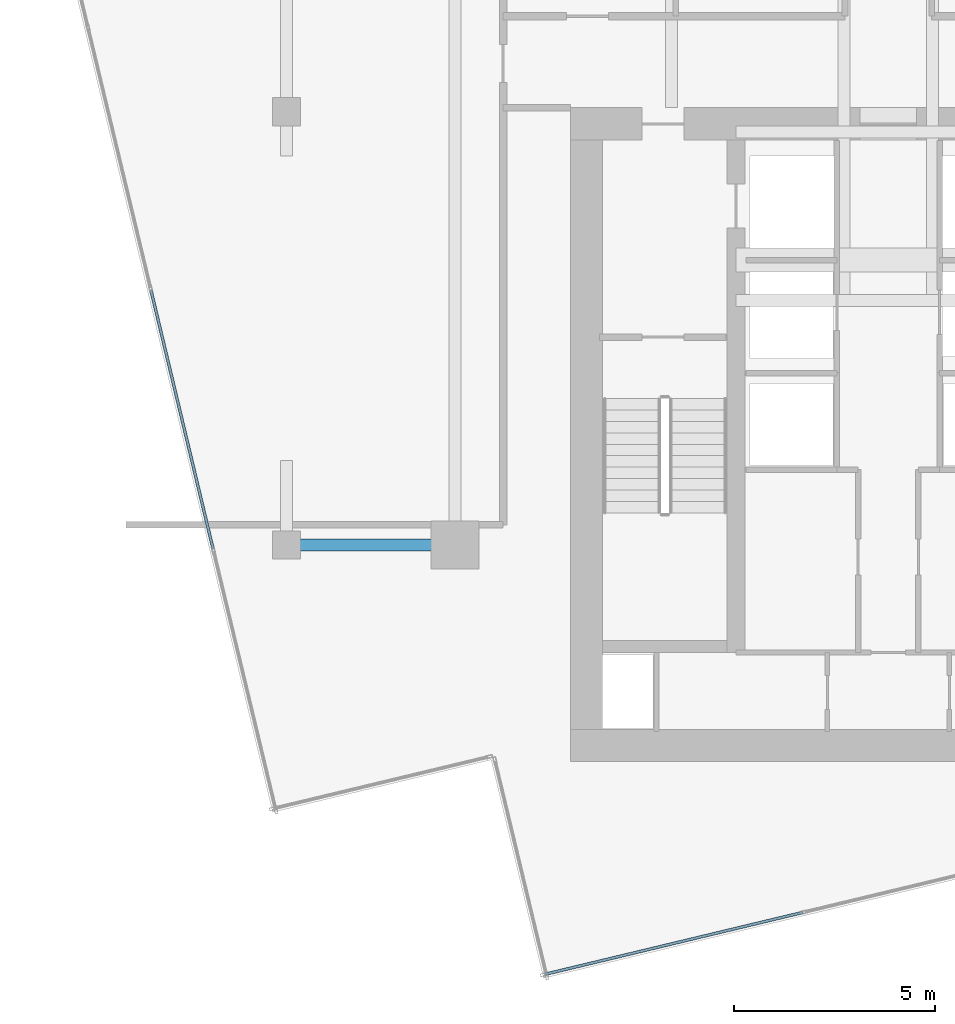
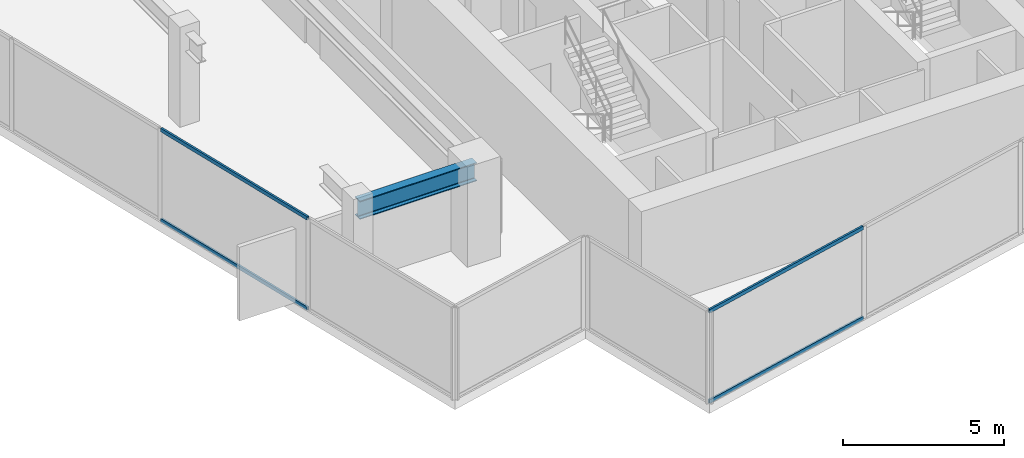
# One storey, part 3 of 19: 4 members, 1 beam, 2 elements without a shape of their own.
"""IFC4 building model written with IfcOpenShell, lengths in metres."""

from ifc_helpers import new_model, si_unit, direction, frame, origin, origin_2d, place, context, subcontext, project, spatial, hollow_rectangle, i_section, extrude, source, transform, mapped, material, material_profile, profile_set, type_object, type_shapes, element, aggregate, save


model = new_model("IFC4")

# Units and contexts
model_context = context("Model", 3, precision=1e-05, world=origin(), true_north=direction((0.0, 1.0)))
body_context = subcontext(model_context, "Body", "Model", "MODEL_VIEW")
ifc_project = project(units=[si_unit("LENGTHUNIT", "METRE"), si_unit("AREAUNIT", "SQUARE_METRE"), si_unit("VOLUMEUNIT", "CUBIC_METRE"), si_unit("PLANEANGLEUNIT", "RADIAN"), si_unit("MASSUNIT", "GRAM", prefix="KILO")], contexts=[model_context])

# Site, building, storey
site_placement = place(None, origin())
site = spatial("IfcSite", under=ifc_project, at=site_placement, CompositionType="ELEMENT")
building_placement = place(site_placement, origin())
building = spatial("IfcBuilding", under=site, at=building_placement, Name="Krantzveldt Concourse Tower", CompositionType="ELEMENT")
storey_placement = place(building_placement, frame((0.0, 0.0, 363.25)))
storey = spatial("IfcBuildingStorey", under=building, at=storey_placement, Name="L89", CompositionType="ELEMENT", Elevation=363.25)

# Beam
ifc_material_1 = material(Name="Steel S355J2", Category="steel")
ifc_material_profile_1 = material_profile(ifc_material_1, i_section(OverallWidth=0.300048828125, OverallDepth=0.699951171875, WebThickness=0.01708984375, FlangeThickness=0.031982421875, FilletRadius=0.027099609375, at=origin_2d()), Name="Steel S355J2", Category="steel")
ifc_profile_set_1 = profile_set([ifc_material_profile_1], Name="Steel S355J2 - HEB 700")
beam_type = type_object("IfcBeamType", Name="BM-B-HEB700", PredefinedType="BEAM", material=ifc_profile_set_1)
shared_shape_1 = source(origin(), body_context, "Body", "SweptSolid", [
    extrude(i_section(OverallWidth=0.300048828125, OverallDepth=0.699951171875, WebThickness=0.01708984375, FlangeThickness=0.031982421875, FilletRadius=0.027099609375, at=origin_2d()), origin(), (0.0, 0.0, 1.0), 4.199951171875),
])
type_shapes(beam_type, [shared_shape_1])
beam_placement = place(storey_placement, frame((21.0, 15.89990234375, 3.14990234375), z_axis=(1.0, 0.0, 0.0), x_axis=(0.0, 1.0, 0.0)))
element("IfcBeam", 1, at=beam_placement, inside=storey, type_object=beam_type, Name="L89 Crown Girder CBG-89-RL1", PredefinedType="BEAM", context=body_context, shape_type="MappedRepresentation", body=[
    mapped(shared_shape_1, transform((0.0, 0.0, 0.0), x_axis=(1.0, 0.0, 0.0), y_axis=(0.0, 1.0, 0.0), z_axis=(0.0, 0.0, 1.0), scale=1.0)),
])

# Curtain wall, members
ifc_material_2 = material(Name="Anodised aluminium 6063-T6", Category="aluminium")
curtain_wall_type = type_object("IfcCurtainWallType", Name="CW7", PredefinedType="USERDEFINED", material=ifc_material_2)
curtain_wall_1_placement = place(storey_placement, origin())
curtain_wall_1 = element("IfcCurtainWall", 2, at=curtain_wall_1_placement, inside=storey, type_object=curtain_wall_type, Name="CW-L89-BASE-07", ObjectType="UNITISED CURTAIN WALL", PredefinedType="USERDEFINED")
ifc_material_profile_2 = material_profile(ifc_material_2, hollow_rectangle(XDim=0.070068359375, YDim=0.139892578125, WallThickness=0.0048828125, at=origin_2d()), Name="Anodised aluminium 6063-T6", Category="aluminium")
ifc_profile_set_2 = profile_set([ifc_material_profile_2], Name="Anodised aluminium 6063-T6 - ALU-TRAN 140x70x5")
member_type = type_object("IfcMemberType", Name="CW-TRN-150", PredefinedType="USERDEFINED", material=ifc_profile_set_2)
shared_shape_2 = source(origin(), body_context, "Body", "SweptSolid", [
    extrude(hollow_rectangle(XDim=0.070068359375, YDim=0.139892578125, WallThickness=0.0048828125, at=origin_2d()), origin(), (0.0, 0.0, 1.0), 6.594970703125),
])
member_1_placement = place(storey_placement, frame((27.45263671875, 5.20068359375, 0.034912109375), z_axis=(0.972371170466, 0.233440156887, 0.0), x_axis=(-0.233440156887, 0.972371170466, 0.0)))
member_1 = element("IfcMember", 3, at=member_1_placement, type_object=member_type, Name="CW-CRN transom 1.1", ObjectType="TRANSOM", PredefinedType="USERDEFINED", context=body_context, shape_type="MappedRepresentation", body=[
    mapped(shared_shape_2, transform((0.0, 0.0, 0.0), x_axis=(1.0, 0.0, 0.0), y_axis=(0.0, 1.0, 0.0), z_axis=(0.0, 0.0, 1.0), scale=1.0)),
])
member_2_placement = place(storey_placement, frame((27.45263671875, 5.20068359375, 3.465087890625), z_axis=(0.972371170466, 0.233440156887, 0.0), x_axis=(-0.233440156887, 0.972371170466, 0.0)))
member_2 = element("IfcMember", 4, at=member_2_placement, type_object=member_type, Name="CW-CRN transom 1.2", ObjectType="TRANSOM", PredefinedType="USERDEFINED", context=body_context, shape_type="MappedRepresentation", body=[
    mapped(shared_shape_2, transform((0.0, 0.0, 0.0), x_axis=(1.0, 0.0, 0.0), y_axis=(0.0, 1.0, 0.0), z_axis=(0.0, 0.0, 1.0), scale=1.0)),
])
aggregate(curtain_wall_1, [member_1, member_2])

curtain_wall_2_placement = place(storey_placement, origin())
curtain_wall_2 = element("IfcCurtainWall", 5, at=curtain_wall_2_placement, inside=storey, type_object=curtain_wall_type, Name="CW-L89-BASE-04", ObjectType="UNITISED CURTAIN WALL", PredefinedType="USERDEFINED")
shared_shape_3 = source(origin(), body_context, "Body", "SweptSolid", [
    extrude(hollow_rectangle(XDim=0.070068359375, YDim=0.139892578125, WallThickness=0.0048828125, at=origin_2d()), origin(), (0.0, 0.0, 1.0), 6.6298828125),
])
type_shapes(member_type, [shared_shape_2, shared_shape_3])
member_3_placement = place(storey_placement, frame((17.62060546875, 22.25146484375, 0.034912109375), z_axis=(0.233462085953, -0.972365905625, 0.0), x_axis=(0.972365905625, 0.233462085953, 0.0)))
member_3 = element("IfcMember", 6, at=member_3_placement, type_object=member_type, Name="CW-CRN transom 3.1", ObjectType="TRANSOM", PredefinedType="USERDEFINED", context=body_context, shape_type="MappedRepresentation", body=[
    mapped(shared_shape_3, transform((0.0, 0.0, 0.0), x_axis=(1.0, 0.0, 0.0), y_axis=(0.0, 1.0, 0.0), z_axis=(0.0, 0.0, 1.0), scale=1.0)),
])
member_4_placement = place(storey_placement, frame((17.62060546875, 22.25146484375, 3.465087890625), z_axis=(0.233462085953, -0.972365905625, 0.0), x_axis=(0.972365905625, 0.233462085953, 0.0)))
member_4 = element("IfcMember", 7, at=member_4_placement, type_object=member_type, Name="CW-CRN transom 3.2", ObjectType="TRANSOM", PredefinedType="USERDEFINED", context=body_context, shape_type="MappedRepresentation", body=[
    mapped(shared_shape_3, transform((0.0, 0.0, 0.0), x_axis=(1.0, 0.0, 0.0), y_axis=(0.0, 1.0, 0.0), z_axis=(0.0, 0.0, 1.0), scale=1.0)),
])
aggregate(curtain_wall_2, [member_3, member_4])

save(model, "model.ifc")
